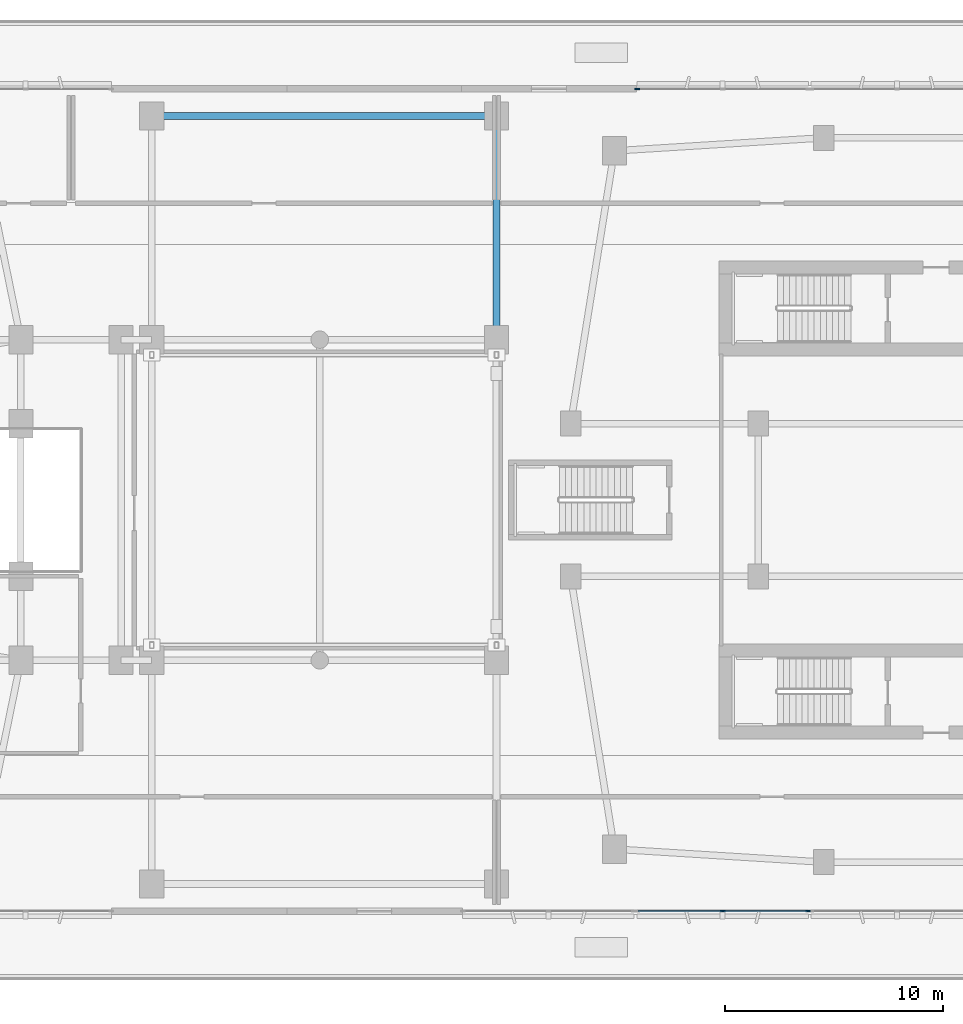
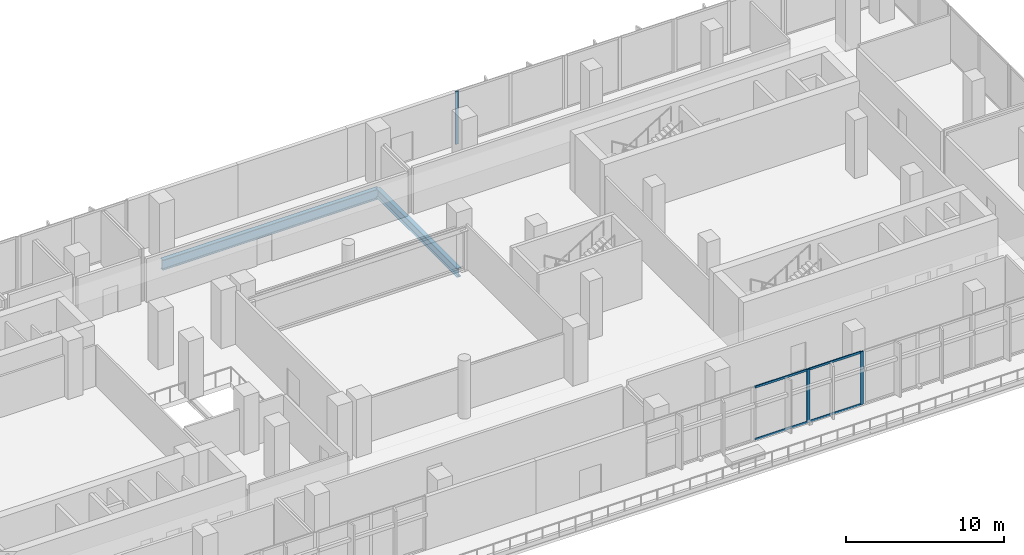
# One storey, part 8 of 31: 7 members, 2 beams, 2 elements without a shape of their own.
"""IFC4 building model written with IfcOpenShell, lengths in metres."""

from ifc_helpers import new_model, si_unit, derived_unit, direction, frame, origin, origin_2d, place, context, subcontext, project, spatial, rectangle, i_section, extrude, material, layer, layer_set, material_profile, profile_set, type_object, element, aggregate, save


model = new_model("IFC4")

# Units and contexts
model_context = context("Model", 3, precision=1e-05, world=origin(), true_north=direction((0.0, 1.0)))
body_context = subcontext(model_context, "Body", "Model", "MODEL_VIEW")
ifc_project = project(units=[si_unit("LENGTHUNIT", "METRE"), si_unit("AREAUNIT", "SQUARE_METRE"), si_unit("VOLUMEUNIT", "CUBIC_METRE"), si_unit("PLANEANGLEUNIT", "RADIAN"), si_unit("MASSUNIT", "GRAM", prefix="KILO"), derived_unit("THERMALTRANSMITTANCEUNIT", [(si_unit("POWERUNIT", "WATT"), 1), (si_unit("LENGTHUNIT", "METRE"), -2), (si_unit("THERMODYNAMICTEMPERATUREUNIT", "KELVIN"), -1)])], contexts=[model_context])

# Site, building, storey
site_placement = place(None, origin())
site = spatial("IfcSite", under=ifc_project, at=site_placement, CompositionType="ELEMENT")
building_placement = place(site_placement, origin())
building = spatial("IfcBuilding", under=site, at=building_placement, Name="Kivonza Crest Hotel", CompositionType="ELEMENT")
storey_placement = place(building_placement, frame((0.0, 0.0, 15.0)))
storey = spatial("IfcBuildingStorey", under=building, at=storey_placement, Name="L03", CompositionType="ELEMENT", Elevation=15.0)

# Beams
ifc_material_1 = material(Name="Steel S355", Category="steel")
ifc_material_profile_1 = material_profile(ifc_material_1, i_section(OverallWidth=0.300048828125, OverallDepth=0.699951171875, WebThickness=0.01708984375, FlangeThickness=0.031982421875, FilletRadius=0.027099609375, at=origin_2d()), Name="HEB 700")
ifc_profile_set_1 = profile_set([ifc_material_profile_1], Name="Steel S355")
beam_type_1 = type_object("IfcBeamType", Name="BM-HEB700", PredefinedType="BEAM", material=ifc_profile_set_1)
beam_1_placement = place(storey_placement, frame((57.60009765625, 32.35009765625, -0.699951171875), z_axis=(0.0, 1.0, 0.0), x_axis=(-1.0, 0.0, 0.0)))
element("IfcBeam", 1, at=beam_1_placement, inside=storey, type_object=beam_type_1, Name="L03 podium girder Y 43", PredefinedType="BEAM", context=body_context, shape_type="SweptSolid", body=[
    extrude(i_section(OverallWidth=0.300048828125, OverallDepth=0.699951171875, WebThickness=0.01708984375, FlangeThickness=0.031982421875, FilletRadius=0.027099609375, at=origin_2d()), origin(), (0.0, 0.0, 1.0), 10.25),
])
ifc_material_profile_2 = material_profile(ifc_material_1, i_section(OverallWidth=0.300048828125, OverallDepth=0.800048828125, WebThickness=0.017578125, FlangeThickness=0.032958984375, FilletRadius=0.030029296875, at=origin_2d()), Name="HEB 800")
ifc_profile_set_2 = profile_set([ifc_material_profile_2], Name="Steel S355")
beam_type_2 = type_object("IfcBeamType", Name="BM-HEB800", PredefinedType="BEAM", material=ifc_profile_set_2)
beam_2_placement = place(storey_placement, frame((41.800048828125, 42.60009765625, -0.75), z_axis=(1.0, 0.0, 0.0), x_axis=(0.0, 1.0, 0.0)))
element("IfcBeam", 2, at=beam_2_placement, inside=storey, type_object=beam_type_2, Name="L03 podium girder X 26", PredefinedType="BEAM", context=body_context, shape_type="SweptSolid", body=[
    extrude(i_section(OverallWidth=0.300048828125, OverallDepth=0.800048828125, WebThickness=0.017578125, FlangeThickness=0.032958984375, FilletRadius=0.030029296875, at=origin_2d()), origin(), (0.0, 0.0, 1.0), 15.800048828125),
])

# Curtain wall, members
ifc_material_2 = material(Name="Anodised bronze aluminium and low-E double glazing", Category="aluminium")
ifc_layer = layer(ifc_material_2, 0.199951171875)
ifc_layer_set = layer_set([ifc_layer], Name="Anodised bronze aluminium and low-E double glazing")
curtain_wall_type = type_object("IfcCurtainWallType", Name="CW-SYS-6", PredefinedType="NOTDEFINED", material=ifc_layer_set)
curtain_wall_1_placement = place(storey_placement, origin())
curtain_wall_1 = element("IfcCurtainWall", 3, at=curtain_wall_1_placement, inside=storey, type_object=curtain_wall_type, Name="L03 unitised curtain wall CW-POD-L03-09", PredefinedType="NOTDEFINED")
ifc_material_3 = material(Name="Anodised bronze aluminium", Category="aluminium")
ifc_material_profile_3 = material_profile(ifc_material_3, rectangle(XDim=0.074951171875, YDim=0.219970703125, at=origin_2d()), Name="CW-M 75x220")
ifc_profile_set_3 = profile_set([ifc_material_profile_3], Name="Anodised bronze aluminium")
member_type_1 = type_object("IfcMemberType", Name="CW-MUL-75x220", PredefinedType="MULLION", material=ifc_profile_set_3)
member_1_placement = place(storey_placement, frame((67.966552734375, 6.159912109375, 0.0), z_axis=(0.0, 0.0, 1.0), x_axis=(0.0, 1.0, 0.0)))
member_1 = element("IfcMember", 4, at=member_1_placement, type_object=member_type_1, Name="CW-6 mullion 2", PredefinedType="MULLION", context=body_context, shape_type="SweptSolid", body=[
    extrude(rectangle(XDim=0.074951171875, YDim=0.219970703125, at=origin_2d()), origin(), (0.0, 0.0, 1.0), 4.10009765625),
])
member_2_placement = place(storey_placement, frame((71.882568359375, 6.159912109375, 0.0), z_axis=(0.0, 0.0, 1.0), x_axis=(0.0, 1.0, 0.0)))
member_2 = element("IfcMember", 5, at=member_2_placement, type_object=member_type_1, Name="CW-6 mullion 3", PredefinedType="MULLION", context=body_context, shape_type="SweptSolid", body=[
    extrude(rectangle(XDim=0.074951171875, YDim=0.219970703125, at=origin_2d()), origin(), (0.0, 0.0, 1.0), 4.10009765625),
])

# Curtain wall, member
curtain_wall_2_placement = place(storey_placement, origin())
curtain_wall_2 = element("IfcCurtainWall", 6, at=curtain_wall_2_placement, inside=storey, type_object=curtain_wall_type, Name="L03 unitised curtain wall CW-POD-L03-21", PredefinedType="NOTDEFINED")
member_3_placement = place(storey_placement, frame((64.050537109375, 43.840087890625, 0.0), z_axis=(0.0, 0.0, 1.0), x_axis=(0.0, -1.0, 0.0)))
member_3 = element("IfcMember", 7, at=member_3_placement, type_object=member_type_1, Name="CW-6 mullion 3", PredefinedType="MULLION", context=body_context, shape_type="SweptSolid", body=[
    extrude(rectangle(XDim=0.074951171875, YDim=0.219970703125, at=origin_2d()), origin(), (0.0, 0.0, 1.0), 4.10009765625),
])
aggregate(curtain_wall_2, [member_3])

# Member
ifc_material_profile_4 = material_profile(ifc_material_3, rectangle(XDim=0.074951171875, YDim=0.159912109375, at=origin_2d()), Name="CW-T 75x160")
ifc_profile_set_4 = profile_set([ifc_material_profile_4], Name="Anodised bronze aluminium")
member_type_2 = type_object("IfcMemberType", Name="CW-TRN-75x160", PredefinedType="USERDEFINED", material=ifc_profile_set_4)
member_4_placement = place(storey_placement, frame((64.087890625, 6.159912109375, 0.03759765625), z_axis=(1.0, 0.0, 0.0), x_axis=(0.0, 1.0, 0.0)))
member_4 = element("IfcMember", 8, at=member_4_placement, type_object=member_type_2, Name="CW-6 transom 1.1", ObjectType="TRANSOM", PredefinedType="USERDEFINED", context=body_context, shape_type="SweptSolid", body=[
    extrude(rectangle(XDim=0.074951171875, YDim=0.159912109375, at=origin_2d()), origin(), (0.0, 0.0, 1.0), 3.841064453125),
])

member_5_placement = place(storey_placement, frame((64.087890625, 6.159912109375, 4.0625), z_axis=(1.0, 0.0, 0.0), x_axis=(0.0, 1.0, 0.0)))
member_5 = element("IfcMember", 9, at=member_5_placement, type_object=member_type_2, Name="CW-6 transom 1.2", ObjectType="TRANSOM", PredefinedType="USERDEFINED", context=body_context, shape_type="SweptSolid", body=[
    extrude(rectangle(XDim=0.074951171875, YDim=0.159912109375, at=origin_2d()), origin(), (0.0, 0.0, 1.0), 3.841064453125),
])

member_6_placement = place(storey_placement, frame((68.00390625, 6.159912109375, 0.03759765625), z_axis=(1.0, 0.0, 0.0), x_axis=(0.0, 1.0, 0.0)))
member_6 = element("IfcMember", 10, at=member_6_placement, type_object=member_type_2, Name="CW-6 transom 2.1", ObjectType="TRANSOM", PredefinedType="USERDEFINED", context=body_context, shape_type="SweptSolid", body=[
    extrude(rectangle(XDim=0.074951171875, YDim=0.159912109375, at=origin_2d()), origin(), (0.0, 0.0, 1.0), 3.841064453125),
])

member_7_placement = place(storey_placement, frame((68.00390625, 6.159912109375, 4.0625), z_axis=(1.0, 0.0, 0.0), x_axis=(0.0, 1.0, 0.0)))
member_7 = element("IfcMember", 11, at=member_7_placement, type_object=member_type_2, Name="CW-6 transom 2.2", ObjectType="TRANSOM", PredefinedType="USERDEFINED", context=body_context, shape_type="SweptSolid", body=[
    extrude(rectangle(XDim=0.074951171875, YDim=0.159912109375, at=origin_2d()), origin(), (0.0, 0.0, 1.0), 3.841064453125),
])

aggregate(curtain_wall_1, [member_1, member_2, member_4, member_5, member_6, member_7])

save(model, "model.ifc")
